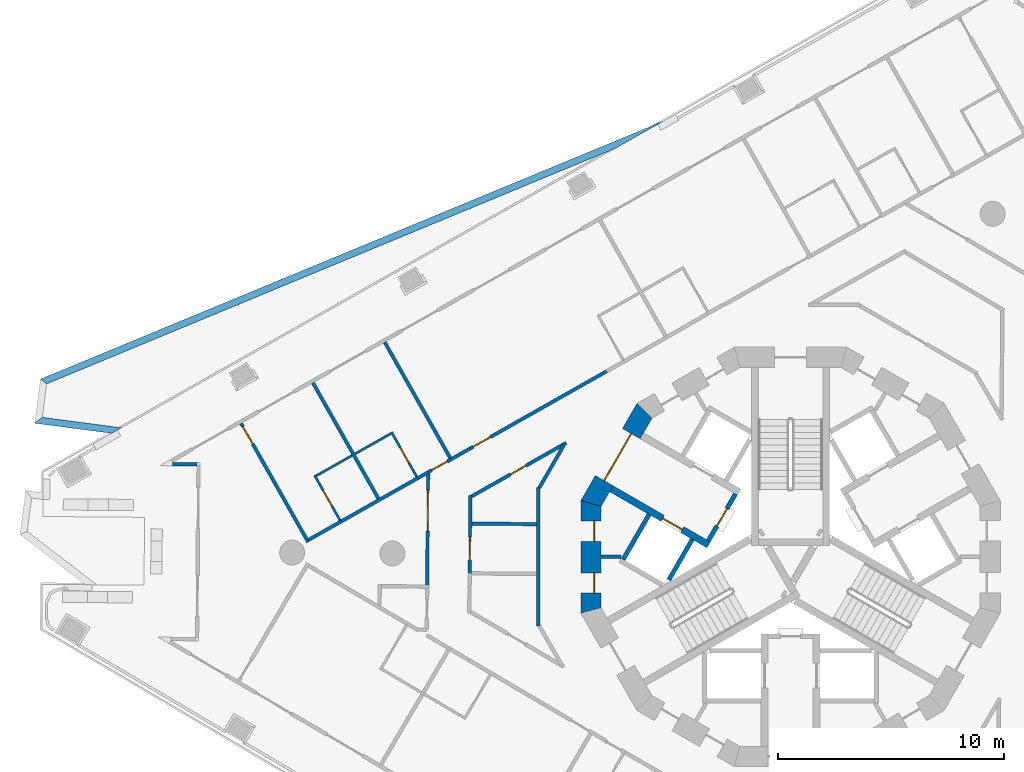
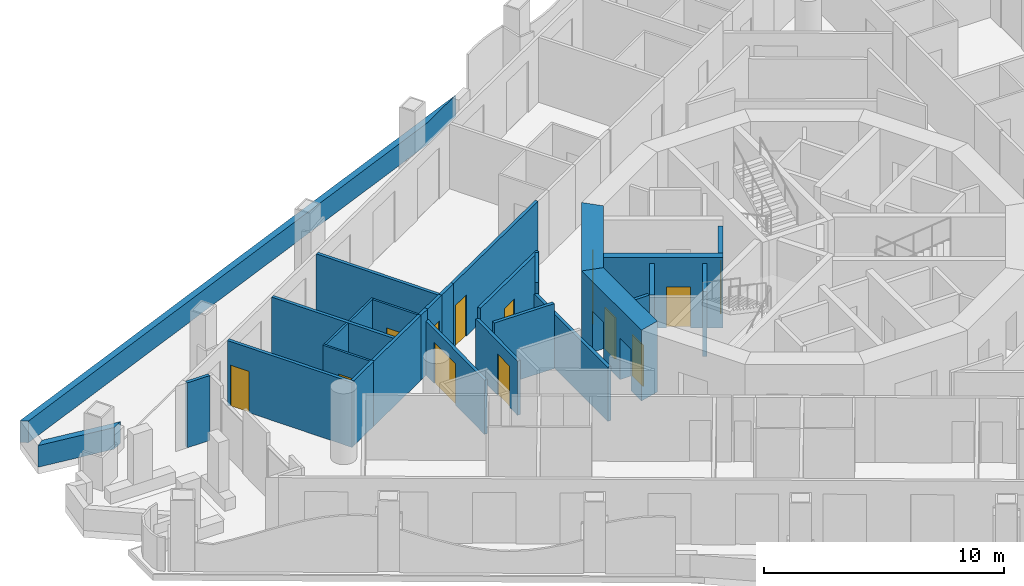
# One storey, part 6 of 18: 29 walls, 13 doors, 13 openings.
"""IFC4 building model written with IfcOpenShell, lengths in metres."""

from ifc_helpers import new_model, si_unit, direction, frame, frame_2d, origin, place, context, subcontext, project, spatial, polyline, rectangle, outline, extrude, material, layer, layer_set, type_object, element, fill, save


model = new_model("IFC4")

# Units and contexts
model_context = context("Model", 3, precision=1e-05, world=origin(), true_north=direction((0.0, 1.0)))
body_context = subcontext(model_context, "Body", "Model", "MODEL_VIEW")
ifc_project = project(units=[si_unit("LENGTHUNIT", "METRE"), si_unit("AREAUNIT", "SQUARE_METRE"), si_unit("VOLUMEUNIT", "CUBIC_METRE"), si_unit("PLANEANGLEUNIT", "RADIAN"), si_unit("MASSUNIT", "GRAM", prefix="KILO")], contexts=[model_context])

# Site, building, storey
site_placement = place(None, origin())
site = spatial("IfcSite", under=ifc_project, at=site_placement, CompositionType="ELEMENT")
building_placement = place(site_placement, origin())
building = spatial("IfcBuilding", under=site, at=building_placement, Name="Trine Commons Tower", CompositionType="ELEMENT")
storey_placement = place(building_placement, frame((0.0, 0.0, 161.10009765625)))
storey = spatial("IfcBuildingStorey", under=building, at=storey_placement, Name="L41", CompositionType="ELEMENT", Elevation=161.10009765625)

# Walls
ifc_material_1 = material(Name="Plasterboard partition on steel studs", Category="steel")
ifc_layer_1 = layer(ifc_material_1, 0.14990234375)
ifc_layer_set_1 = layer_set([ifc_layer_1], Name="Plasterboard partition on steel studs")
wall_type_1 = type_object("IfcWallType", Name="Core room partition 150 mm, EI 60", PredefinedType="PARTITIONING", material=ifc_layer_set_1)
wall_1_placement = place(storey_placement, frame((71.626953125, 62.5, 0.0), z_axis=(0.0, 0.0, 1.0), x_axis=(1.0, 0.0, 0.0)))
element("IfcWall", 1, at=wall_1_placement, inside=storey, type_object=wall_type_1, Name="Core room partition L41", PredefinedType="PARTITIONING", context=body_context, shape_type="SweptSolid", body=[
    extrude(rectangle(XDim=0.882080078125, YDim=0.14990234375, at=frame_2d((0.44091796875, 0.0))), origin(), (0.0, 0.0, 1.0), 3.2998046875),
])
ifc_material_2 = material(Name="Aluminium-framed insulated wall panel", Category="aluminium")
ifc_layer_2 = layer(ifc_material_2, 0.14990234375)
ifc_layer_set_2 = layer_set([ifc_layer_2], Name="Aluminium-framed insulated wall panel")
wall_type_2 = type_object("IfcWallType", Name="Glazed frame wall 150, EI 60", PredefinedType="SOLIDWALL", material=ifc_layer_set_2)
wall_2_placement = place(storey_placement, frame((53.859619140625, 66.59326171875, 0.0), z_axis=(0.0, 0.0, 1.0), x_axis=(-0.999962043845, 0.008712684354, 0.0)))
element("IfcWall", 2, at=wall_2_placement, inside=storey, type_object=wall_type_2, Name="Glazed frame wall R3", PredefinedType="SOLIDWALL", context=body_context, shape_type="SweptSolid", body=[
    extrude(outline(polyline([(0.110107421875, 0.074951171875), (0.110107421875, -0.074951171875), (1.19580078125, -0.074951171875), (1.19580078125, 0.074951171875), (0.110107421875, 0.074951171875)])), origin(), (0.0, 0.0, 1.0), 3.2998046875),
])

# Wall, opening, door
ifc_material_3 = material(Name="Fire-rated gypsum shaft wall system")
ifc_layer_3 = layer(ifc_material_3, 0.199951171875)
ifc_layer_set_3 = layer_set([ifc_layer_3], Name="Fire-rated gypsum shaft wall system")
wall_type_3 = type_object("IfcWallType", Name="Lobby end wall 200 mm, EI 120", PredefinedType="PARTITIONING", material=ifc_layer_set_3)
wall_3_placement = place(storey_placement, frame((77.569091796875, 65.2890625, 0.0), z_axis=(0.0, 0.0, 1.0), x_axis=(-0.50012165622, -0.865955154139, 0.0)))
wall_3 = element("IfcWall", 3, at=wall_3_placement, inside=storey, type_object=wall_type_3, Name="Lobby end wall L41", PredefinedType="PARTITIONING", context=body_context, shape_type="SweptSolid", body=[
    extrude(rectangle(XDim=2.39990234375, YDim=0.199951171875, at=frame_2d((1.199951171875, 0.0))), origin(), (0.0, 0.0, 1.0), 3.2998046875),
])
opening_1_placement = place(wall_3_placement, frame((0.749755859375, 0.0, 0.0)))
opening_1 = element("IfcOpeningElement", 4, at=opening_1_placement, cuts=wall_3, Name="Opening K12.07", PredefinedType="OPENING", context=body_context, shape_type="SweptSolid", body=[
    extrude(rectangle(XDim=0.89990234375, YDim=2.10009765625, at=frame_2d((0.449951171875, 1.050048828125))), frame((0.0, 0.10986328125, 0.0), z_axis=(0.0, -1.0, 0.0), x_axis=(1.0, 0.0, 0.0)), (0.0, 0.0, 1.0), 0.219970703125),
])
ifc_material_4 = material(Name="Steel door leaf, fire-rated", Category="steel")
door_type_1 = type_object("IfcDoorType", Name="Riser access door, single leaf 900 x 2100, FD60", OperationType="SINGLE_SWING_LEFT", PredefinedType="DOOR", material=ifc_material_4)
door_1_placement = place(opening_1_placement, frame((0.89990234375, 0.0, 0.0), z_axis=(0.0, 0.0, 1.0), x_axis=(-1.0, 0.0, 0.0)))
door_1 = element("IfcDoor", 5, at=door_1_placement, inside=storey, type_object=door_type_1, Name="Riser door, Mechanical riser L41", OperationType="SINGLE_SWING_RIGHT", OverallHeight=2.10009765625, OverallWidth=0.89990234375, PredefinedType="DOOR", context=body_context, shape_type="SweptSolid", body=[
    extrude(rectangle(XDim=0.89990234375, YDim=2.10009765625, at=frame_2d((0.449951171875, 1.050048828125))), frame((0.0, 0.02490234375, 0.0), z_axis=(0.0, -1.0, 0.0), x_axis=(1.0, 0.0, 0.0)), (0.0, 0.0, 1.0), 0.050048828125),
])
fill(opening_1, door_1)

ifc_material_5 = material(Name="Concrete C60/75", Category="concrete")
ifc_layer_4 = layer(ifc_material_5, 0.300048828125)
ifc_layer_set_4 = layer_set([ifc_layer_4], Name="Concrete C60/75")
wall_type_4 = type_object("IfcWallType", Name="RC shear wall 300 mm, C60/75", PredefinedType="SHEAR", material=ifc_layer_set_4)
wall_4_placement = place(storey_placement, frame((76.381103515625, 63.031005859375, 0.0), z_axis=(0.0, 0.0, 1.0), x_axis=(-0.866080953719, 0.499903772346, 0.0)))
wall_4 = element("IfcWall", 6, at=wall_4_placement, inside=storey, type_object=wall_type_4, Name="Core cross wall SWB-01 L41", PredefinedType="SHEAR", context=body_context, shape_type="SweptSolid", body=[
    extrude(rectangle(XDim=4.97314453125, YDim=0.300048828125, at=frame_2d((2.486572265625, 0.0))), origin(), (0.0, 0.0, 1.0), 3.599853515625),
])
opening_2_placement = place(wall_4_placement, frame((1.350341796875, 0.0, 0.0)))
opening_2 = element("IfcOpeningElement", 7, at=opening_2_placement, cuts=wall_4, Name="Opening LD7", PredefinedType="OPENING", context=body_context, shape_type="SweptSolid", body=[
    extrude(rectangle(XDim=1.0, YDim=2.10009765625, at=frame_2d((0.5, 1.050048828125))), frame((0.0, 0.159912109375, 0.0), z_axis=(0.0, -1.0, 0.0), x_axis=(1.0, 0.0, 0.0)), (0.0, 0.0, 1.0), 0.320068359375),
])
ifc_material_6 = material(Name="Stainless steel sliding door leaves", Category="steel")
door_type_2 = type_object("IfcDoorType", Name="Lift landing door, centre-opening sliding 1000 x 2100, FD90", OperationType="DOUBLE_DOOR_SLIDING", PredefinedType="DOOR", material=ifc_material_6)
door_2_placement = place(opening_2_placement, origin())
door_2 = element("IfcDoor", 8, at=door_2_placement, inside=storey, type_object=door_type_2, Name="Lift landing door HR3 L41", OperationType="DOUBLE_DOOR_SLIDING", OverallHeight=2.10009765625, OverallWidth=1.0, PredefinedType="DOOR", context=body_context, shape_type="SweptSolid", body=[
    extrude(rectangle(XDim=1.0, YDim=2.10009765625, at=frame_2d((0.5, 1.050048828125))), frame((0.0, 0.02490234375, 0.0), z_axis=(0.0, -1.0, 0.0), x_axis=(1.0, 0.0, 0.0)), (0.0, 0.0, 1.0), 0.050048828125),
])
fill(opening_2, door_2)

ifc_layer_5 = layer(ifc_material_5, 0.89990234375)
ifc_layer_set_5 = layer_set([ifc_layer_5], Name="Concrete C60/75")
wall_type_5 = type_object("IfcWallType", Name="RC shear wall 900 mm, C60/75", PredefinedType="SHEAR", material=ifc_layer_set_5)
wall_5_placement = place(storey_placement, frame((73.6015625, 69.063232421875, 0.0), z_axis=(0.0, 0.0, 1.0), x_axis=(-0.500038571144, -0.866003133579, 0.0)))
wall_5 = element("IfcWall", 9, at=wall_5_placement, inside=storey, type_object=wall_type_5, Name="Core wall CWE-06 L41", PredefinedType="SHEAR", context=body_context, shape_type="SweptSolid", body=[
    extrude(outline(polyline([(0.0, -0.449951171875), (4.96923828125, -0.449951171875), (4.72802734375, 0.449951171875), (0.2412109375, 0.449951171875), (0.0, -0.449951171875)])), origin(), (0.0, 0.0, 1.0), 3.599853515625),
])
opening_3_placement = place(wall_5_placement, frame((1.28466796875, 0.0, 0.0)))
opening_3 = element("IfcOpeningElement", 10, at=opening_3_placement, cuts=wall_5, Name="Opening K12.06", PredefinedType="OPENING", context=body_context, shape_type="SweptSolid", body=[
    extrude(rectangle(XDim=2.39990234375, YDim=2.10009765625, at=frame_2d((1.199951171875, 1.050048828125))), frame((0.0, 0.4599609375, 0.0), z_axis=(0.0, -1.0, 0.0), x_axis=(1.0, 0.0, 0.0)), (0.0, 0.0, 1.0), 0.919921875),
])
ifc_material_7 = material(Name="Steel door leaves, fire-rated", Category="steel")
door_type_3 = type_object("IfcDoorType", Name="Lobby door, double leaf 2400 x 2100, FD60", OperationType="DOUBLE_DOOR_SINGLE_SWING", PredefinedType="DOOR", material=ifc_material_7)
door_3_placement = place(opening_3_placement, origin())
door_3 = element("IfcDoor", 11, at=door_3_placement, inside=storey, type_object=door_type_3, Name="Lobby door, Passenger lift lobby B L41", OperationType="DOUBLE_DOOR_SINGLE_SWING", OverallHeight=2.10009765625, OverallWidth=2.39990234375, PredefinedType="DOOR", context=body_context, shape_type="SweptSolid", body=[
    extrude(rectangle(XDim=2.39990234375, YDim=2.10009765625, at=frame_2d((1.199951171875, 1.050048828125))), frame((0.0, 0.02490234375, 0.0), z_axis=(0.0, -1.0, 0.0), x_axis=(1.0, 0.0, 0.0)), (0.0, 0.0, 1.0), 0.050048828125),
])
fill(opening_3, door_3)

# Wall, openings, doors
wall_6_placement = place(storey_placement, frame((71.177001953125, 64.984619140625, 0.0), z_axis=(0.0, 0.0, 1.0), x_axis=(0.0, -1.0, 0.0)))
wall_6 = element("IfcWall", 12, at=wall_6_placement, inside=storey, type_object=wall_type_5, Name="Core wall CWE-07 L41", PredefinedType="SHEAR", context=body_context, shape_type="SweptSolid", body=[
    extrude(outline(polyline([(0.0, -0.449951171875), (4.969482421875, -0.449951171875), (4.728271484375, 0.449951171875), (0.2412109375, 0.449951171875), (0.0, -0.449951171875)])), origin(), (0.0, 0.0, 1.0), 3.599853515625),
])
opening_4_placement = place(wall_6_placement, frame((0.893798828125, 0.0, 0.0)))
opening_4 = element("IfcOpeningElement", 13, at=opening_4_placement, cuts=wall_6, Name="Opening K12.16", PredefinedType="OPENING", context=body_context, shape_type="SweptSolid", body=[
    extrude(rectangle(XDim=0.89990234375, YDim=2.10009765625, at=frame_2d((0.449951171875, 1.050048828125))), frame((0.0, 0.4599609375, 0.0), z_axis=(0.0, -1.0, 0.0), x_axis=(1.0, 0.0, 0.0)), (0.0, 0.0, 1.0), 0.919921875),
])
opening_5_placement = place(wall_6_placement, frame((3.184814453125, 0.0, 0.0)))
opening_5 = element("IfcOpeningElement", 14, at=opening_5_placement, cuts=wall_6, Name="Opening K12.17", PredefinedType="OPENING", context=body_context, shape_type="SweptSolid", body=[
    extrude(rectangle(XDim=0.89990234375, YDim=2.10009765625, at=frame_2d((0.449951171875, 1.050048828125))), frame((0.0, 0.4599609375, 0.0), z_axis=(0.0, -1.0, 0.0), x_axis=(1.0, 0.0, 0.0)), (0.0, 0.0, 1.0), 0.919921875),
])
door_type_4 = type_object("IfcDoorType", Name="Core room door, single leaf 900 x 2100, FD30S", OperationType="SINGLE_SWING_LEFT", PredefinedType="DOOR", material=ifc_material_4)
door_4_placement = place(opening_4_placement, origin())
door_4 = element("IfcDoor", 15, at=door_4_placement, inside=storey, type_object=door_type_4, Name="Door to Pantry L41", OperationType="SINGLE_SWING_LEFT", OverallHeight=2.10009765625, OverallWidth=0.89990234375, PredefinedType="DOOR", context=body_context, shape_type="SweptSolid", body=[
    extrude(rectangle(XDim=0.89990234375, YDim=2.10009765625, at=frame_2d((0.449951171875, 1.050048828125))), frame((0.0, 0.1748046875, 0.0), z_axis=(0.0, -1.0, 0.0), x_axis=(1.0, 0.0, 0.0)), (0.0, 0.0, 1.0), 0.050048828125),
])
fill(opening_4, door_4)
door_5_placement = place(opening_5_placement, origin())
door_5 = element("IfcDoor", 16, at=door_5_placement, inside=storey, type_object=door_type_4, Name="Door to Comms room L41", OperationType="SINGLE_SWING_RIGHT", OverallHeight=2.10009765625, OverallWidth=0.89990234375, PredefinedType="DOOR", context=body_context, shape_type="SweptSolid", body=[
    extrude(rectangle(XDim=0.89990234375, YDim=2.10009765625, at=frame_2d((0.449951171875, 1.050048828125))), frame((0.0, 0.1748046875, 0.0), z_axis=(0.0, -1.0, 0.0), x_axis=(1.0, 0.0, 0.0)), (0.0, 0.0, 1.0), 0.050048828125),
])
fill(opening_5, door_5)

# Walls
ifc_layer_6 = layer(ifc_material_3, 0.199951171875)
ifc_layer_set_6 = layer_set([ifc_layer_6], Name="Fire-rated gypsum shaft wall system")
wall_type_6 = type_object("IfcWallType", Name="Shaft wall 200 mm, EI 120", PredefinedType="PARTITIONING", material=ifc_layer_set_6)
wall_7_placement = place(storey_placement, frame((73.7509765625, 64.3759765625, 0.0), z_axis=(0.0, 0.0, 1.0), x_axis=(-0.500136062276, -0.86594683394, 0.0)))
element("IfcWall", 17, at=wall_7_placement, inside=storey, type_object=wall_type_6, Name="Shaft wall L41", PredefinedType="PARTITIONING", context=body_context, shape_type="SweptSolid", body=[
    extrude(rectangle(XDim=2.299072265625, YDim=0.199951171875, at=frame_2d((1.1494140625, 0.0))), origin(), (0.0, 0.0, 1.0), 3.2998046875),
])
wall_8_placement = place(storey_placement, frame((75.656005859375, 63.27587890625, 0.0), z_axis=(0.0, 0.0, 1.0), x_axis=(-0.500271688072, -0.86586848777, 0.0)))
element("IfcWall", 18, at=wall_8_placement, inside=storey, type_object=wall_type_6, Name="Shaft wall L41", PredefinedType="PARTITIONING", context=body_context, shape_type="SweptSolid", body=[
    extrude(rectangle(XDim=2.064697265625, YDim=0.199951171875, at=frame_2d((1.0322265625, 0.0))), origin(), (0.0, 0.0, 1.0), 3.2998046875),
])
ifc_material_8 = material(Name="Limestone, honed", Category="masonry")
ifc_layer_7 = layer(ifc_material_8, 0.300048828125)
ifc_layer_set_7 = layer_set([ifc_layer_7], Name="Limestone, honed")
wall_type_7 = type_object("IfcWallType", Name="Stone parapet 300", PredefinedType="PARAPET", material=ifc_layer_set_7)
wall_9_placement = place(storey_placement, origin())
element("IfcWall", 19, at=wall_9_placement, inside=storey, type_object=wall_type_7, Name="Sliver roof parapet L40 2.1", PredefinedType="PARAPET", context=body_context, shape_type="SweptSolid", body=[
    extrude(outline(polyline([(74.38818359375, 81.772705078125), (46.835693359375, 70.360107421875), (47.110595703125, 70.149169921875), (72.24560546875, 80.560546875), (74.38818359375, 81.772705078125)])), origin(), (0.0, 0.0, 1.0), 1.099853515625),
])
wall_10_placement = place(storey_placement, origin())
element("IfcWall", 20, at=wall_10_placement, inside=storey, type_object=wall_type_7, Name="Sliver roof parapet L40 2.3", PredefinedType="PARAPET", context=body_context, shape_type="SweptSolid", body=[
    extrude(outline(polyline([(46.579345703125, 68.412841796875), (49.982666015625, 67.96484375), (50.41650390625, 68.210205078125), (46.916015625, 68.671142578125), (46.579345703125, 68.412841796875)])), origin(), (0.0, 0.0, 1.0), 1.099853515625),
])

# Wall, opening, door
ifc_material_9 = material(Name="Gypsum plasterboard on steel stud", Category="steel")
ifc_layer_8 = layer(ifc_material_9, 0.14990234375)
ifc_layer_set_8 = layer_set([ifc_layer_8], Name="Gypsum plasterboard on steel stud")
wall_type_8 = type_object("IfcWallType", Name="Unit and corridor wall 150 mm, EI 60", PredefinedType="PARTITIONING", material=ifc_layer_set_8)
wall_11_placement = place(storey_placement, frame((55.708740234375, 68.401123046875, 0.0), z_axis=(0.0, 0.0, 1.0), x_axis=(0.492481823802, -0.870322729351, 0.0)))
wall_11 = element("IfcWall", 21, at=wall_11_placement, inside=storey, type_object=wall_type_8, Name="Partition 002", PredefinedType="PARTITIONING", context=body_context, shape_type="SweptSolid", body=[
    extrude(rectangle(XDim=6.024658203125, YDim=0.14990234375, at=frame_2d((3.01220703125, 0.0))), origin(), (0.0, 0.0, 1.0), 3.2998046875),
])
opening_6_placement = place(wall_11_placement, frame((0.14990234375, 0.0, 0.0)))
opening_6 = element("IfcOpeningElement", 22, at=opening_6_placement, cuts=wall_11, Name="Opening D-5A06", PredefinedType="OPENING", context=body_context, shape_type="SweptSolid", body=[
    extrude(rectangle(XDim=0.89990234375, YDim=2.10009765625, at=frame_2d((0.449951171875, 1.050048828125))), frame((0.0, 0.0849609375, 0.0), z_axis=(0.0, -1.0, 0.0), x_axis=(1.0, 0.0, 0.0)), (0.0, 0.0, 1.0), 0.169921875),
])
ifc_material_10 = material(Name="Timber fire door set", Category="wood")
door_type_5 = type_object("IfcDoorType", Name="Bedroom door 900 x 2100, FD30S", OperationType="NOTDEFINED", PredefinedType="DOOR", material=ifc_material_10)
door_6_placement = place(opening_6_placement, origin())
door_6 = element("IfcDoor", 23, at=door_6_placement, inside=storey, type_object=door_type_5, Name="Door D-5A06", OperationType="SINGLE_SWING_LEFT", OverallHeight=2.10009765625, OverallWidth=0.89990234375, PredefinedType="DOOR", context=body_context, shape_type="SweptSolid", body=[
    extrude(rectangle(XDim=0.89990234375, YDim=2.10009765625, at=frame_2d((0.449951171875, 1.050048828125))), frame((0.0, 0.02490234375, 0.0), z_axis=(0.0, -1.0, 0.0), x_axis=(1.0, 0.0, 0.0)), (0.0, 0.0, 1.0), 0.050048828125),
])
fill(opening_6, door_6)

# Walls
wall_12_placement = place(storey_placement, frame((58.704345703125, 63.260009765625, 0.0), z_axis=(0.0, 0.0, 1.0), x_axis=(0.870190857822, 0.492714796778, 0.0)))
element("IfcWall", 24, at=wall_12_placement, inside=storey, type_object=wall_type_8, Name="Partition 004", PredefinedType="PARTITIONING", context=body_context, shape_type="SweptSolid", body=[
    extrude(rectangle(XDim=1.67578125, YDim=0.14990234375, at=frame_2d((0.837890625, 0.0))), origin(), (0.0, 0.0, 1.0), 3.2998046875),
])
wall_13_placement = place(storey_placement, frame((58.8837890625, 70.197265625, 0.0), z_axis=(0.0, 0.0, 1.0), x_axis=(0.492361245758, -0.870390948756, 0.0)))
element("IfcWall", 25, at=wall_13_placement, inside=storey, type_object=wall_type_8, Name="Partition 005", PredefinedType="PARTITIONING", context=body_context, shape_type="SweptSolid", body=[
    extrude(rectangle(XDim=5.87451171875, YDim=0.14990234375, at=frame_2d((2.937255859375, 0.0))), origin(), (0.0, 0.0, 1.0), 3.2998046875),
])
wall_14_placement = place(storey_placement, frame((60.113037109375, 64.056884765625, 0.0), z_axis=(0.0, 0.0, 1.0), x_axis=(0.870300828713, 0.492520524995, 0.0)))
element("IfcWall", 26, at=wall_14_placement, inside=storey, type_object=wall_type_8, Name="Partition 008", PredefinedType="PARTITIONING", context=body_context, shape_type="SweptSolid", body=[
    extrude(rectangle(XDim=3.906494140625, YDim=0.14990234375, at=frame_2d((1.953125, 0.0))), origin(), (0.0, 0.0, 1.0), 3.2998046875),
])
wall_15_placement = place(storey_placement, frame((62.0576171875, 71.9931640625, 0.0), z_axis=(0.0, 0.0, 1.0), x_axis=(0.492391211334, -0.870373997199, 0.0)))
element("IfcWall", 27, at=wall_15_placement, inside=storey, type_object=wall_type_8, Name="Partition 015", PredefinedType="PARTITIONING", context=body_context, shape_type="SweptSolid", body=[
    extrude(rectangle(XDim=5.949462890625, YDim=0.14990234375, at=frame_2d((2.974609375, 0.0))), origin(), (0.0, 0.0, 1.0), 3.2998046875),
])
wall_16_placement = place(storey_placement, frame((63.507080078125, 65.97705078125, 0.0), z_axis=(0.0, 0.0, 1.0), x_axis=(0.869938000449, 0.493161104888, 0.0)))
element("IfcWall", 28, at=wall_16_placement, inside=storey, type_object=wall_type_8, Name="Partition 019", PredefinedType="PARTITIONING", context=body_context, shape_type="SweptSolid", body=[
    extrude(rectangle(XDim=0.5390625, YDim=0.14990234375, at=frame_2d((0.26953125, 0.0))), origin(), (0.0, 0.0, 1.0), 3.2998046875),
])

# Wall, opening, door
wall_17_placement = place(storey_placement, frame((63.931884765625, 61.18310546875, 0.0), z_axis=(0.0, 0.0, 1.0), x_axis=(0.008717466764, 0.999962002165, 0.0)))
wall_17 = element("IfcWall", 29, at=wall_17_placement, inside=storey, type_object=wall_type_8, Name="Partition 023", PredefinedType="PARTITIONING", context=body_context, shape_type="SweptSolid", body=[
    extrude(rectangle(XDim=4.985107421875, YDim=0.14990234375, at=frame_2d((2.49267578125, 0.0))), origin(), (0.0, 0.0, 1.0), 2.75),
])
opening_7_placement = place(wall_17_placement, frame((2.458984375, 0.0, 0.0)))
opening_7 = element("IfcOpeningElement", 30, at=opening_7_placement, cuts=wall_17, Name="Opening D-5A03", PredefinedType="OPENING", context=body_context, shape_type="SweptSolid", body=[
    extrude(rectangle(XDim=1.800048828125, YDim=2.10009765625, at=frame_2d((0.89990234375, 1.050048828125))), frame((0.0, 0.0849609375, 0.0), z_axis=(0.0, -1.0, 0.0), x_axis=(1.0, 0.0, 0.0)), (0.0, 0.0, 1.0), 0.169921875),
])
door_type_6 = type_object("IfcDoorType", Name="Cluster entrance door 1800 x 2100, double leaf, FD30S", OperationType="DOUBLE_DOOR_DOUBLE_SWING", PredefinedType="DOOR", material=ifc_material_10)
door_7_placement = place(opening_7_placement, origin())
door_7 = element("IfcDoor", 31, at=door_7_placement, inside=storey, type_object=door_type_6, Name="Door D-5A03", OperationType="DOUBLE_DOOR_DOUBLE_SWING", OverallHeight=2.10009765625, OverallWidth=1.800048828125, PredefinedType="DOOR", context=body_context, shape_type="SweptSolid", body=[
    extrude(rectangle(XDim=1.800048828125, YDim=2.10009765625, at=frame_2d((0.89990234375, 1.050048828125))), frame((0.0, 0.02490234375, 0.0), z_axis=(0.0, -1.0, 0.0), x_axis=(1.0, 0.0, 0.0)), (0.0, 0.0, 1.0), 0.050048828125),
])
fill(opening_7, door_7)

wall_18_placement = place(storey_placement, frame((63.97607421875, 66.242919921875, 0.0), z_axis=(0.0, 0.0, 1.0), x_axis=(0.870234820761, 0.492637145102, 0.0)))
wall_18 = element("IfcWall", 32, at=wall_18_placement, inside=storey, type_object=wall_type_8, Name="Partition 024", PredefinedType="PARTITIONING", context=body_context, shape_type="SweptSolid", body=[
    extrude(rectangle(XDim=1.1650390625, YDim=0.14990234375, at=frame_2d((0.58251953125, 0.0))), origin(), (0.0, 0.0, 1.0), 3.2998046875),
])
opening_8_placement = place(wall_18_placement, frame((0.180908203125, 0.0, 0.0)))
opening_8 = element("IfcOpeningElement", 33, at=opening_8_placement, cuts=wall_18, Name="Opening D-5A07", PredefinedType="OPENING", context=body_context, shape_type="SweptSolid", body=[
    extrude(rectangle(XDim=0.800048828125, YDim=2.10009765625, at=frame_2d((0.39990234375, 1.050048828125))), frame((0.0, 0.0849609375, 0.0), z_axis=(0.0, -1.0, 0.0), x_axis=(1.0, 0.0, 0.0)), (0.0, 0.0, 1.0), 0.169921875),
])
door_type_7 = type_object("IfcDoorType", Name="Bedroom door 800 x 2100, FD30S", OperationType="NOTDEFINED", PredefinedType="DOOR", material=ifc_material_10)
door_8_placement = place(opening_8_placement, origin())
door_8 = element("IfcDoor", 34, at=door_8_placement, inside=storey, type_object=door_type_7, Name="Door D-5A07", OperationType="SINGLE_SWING_LEFT", OverallHeight=2.10009765625, OverallWidth=0.800048828125, PredefinedType="DOOR", context=body_context, shape_type="SweptSolid", body=[
    extrude(rectangle(XDim=0.800048828125, YDim=2.10009765625, at=frame_2d((0.39990234375, 1.050048828125))), frame((0.0, 0.02490234375, 0.0), z_axis=(0.0, -1.0, 0.0), x_axis=(1.0, 0.0, 0.0)), (0.0, 0.0, 1.0), 0.050048828125),
])
fill(opening_8, door_8)

# Wall
wall_19_placement = place(storey_placement, frame((64.98388671875, 66.81298828125, 0.0), z_axis=(0.0, 0.0, 1.0), x_axis=(0.870488073498, 0.492189510145, 0.0)))
element("IfcWall", 35, at=wall_19_placement, inside=storey, type_object=wall_type_8, Name="Partition 026", PredefinedType="PARTITIONING", context=body_context, shape_type="SweptSolid", body=[
    extrude(rectangle(XDim=0.97314453125, YDim=0.14990234375, at=frame_2d((0.486572265625, 0.0))), origin(), (0.0, 0.0, 1.0), 3.2998046875),
])

# Wall, opening, door
wall_20_placement = place(storey_placement, frame((65.8125, 61.695068359375, 0.0), z_axis=(0.0, 0.0, 1.0), x_axis=(0.008521236962, 0.999963693601, 0.0)))
wall_20 = element("IfcWall", 36, at=wall_20_placement, inside=storey, type_object=wall_type_8, Name="Partition 031", PredefinedType="PARTITIONING", context=body_context, shape_type="SweptSolid", body=[
    extrude(rectangle(XDim=3.524169921875, YDim=0.14990234375, at=frame_2d((1.76220703125, 0.0))), origin(), (0.0, 0.0, 1.0), 2.75),
])
opening_9_placement = place(wall_20_placement, frame((0.678955078125, 0.0, 0.0)))
opening_9 = element("IfcOpeningElement", 37, at=opening_9_placement, cuts=wall_20, Name="Opening D-5A30", PredefinedType="OPENING", context=body_context, shape_type="SweptSolid", body=[
    extrude(rectangle(XDim=1.0, YDim=2.10009765625, at=frame_2d((0.5, 1.050048828125))), frame((0.0, 0.0849609375, 0.0), z_axis=(0.0, -1.0, 0.0), x_axis=(1.0, 0.0, 0.0)), (0.0, 0.0, 1.0), 0.169921875),
])
ifc_material_11 = material(Name="Painted timber", Category="wood")
door_type_8 = type_object("IfcDoorType", Name="Toilet door 1000 x 2100, NOT RATED", OperationType="NOTDEFINED", PredefinedType="DOOR", material=ifc_material_11)
door_9_placement = place(opening_9_placement, frame((1.0, 0.0, 0.0), z_axis=(0.0, 0.0, 1.0), x_axis=(-1.0, 0.0, 0.0)))
door_9 = element("IfcDoor", 38, at=door_9_placement, inside=storey, type_object=door_type_8, Name="Door D-5A30", OperationType="SINGLE_SWING_RIGHT", OverallHeight=2.10009765625, OverallWidth=1.0, PredefinedType="DOOR", context=body_context, shape_type="SweptSolid", body=[
    extrude(rectangle(XDim=1.0, YDim=2.10009765625, at=frame_2d((0.5, 1.050048828125))), frame((0.0, 0.02490234375, 0.0), z_axis=(0.0, -1.0, 0.0), x_axis=(1.0, 0.0, 0.0)), (0.0, 0.0, 1.0), 0.050048828125),
])
fill(opening_9, door_9)

wall_21_placement = place(storey_placement, frame((65.8310546875, 67.2919921875, 0.0), z_axis=(0.0, 0.0, 1.0), x_axis=(0.870315513683, 0.492494575242, 0.0)))
wall_21 = element("IfcWall", 39, at=wall_21_placement, inside=storey, type_object=wall_type_8, Name="Partition 033", PredefinedType="PARTITIONING", context=body_context, shape_type="SweptSolid", body=[
    extrude(rectangle(XDim=6.93408203125, YDim=0.14990234375, at=frame_2d((3.467041015625, 0.0))), origin(), (0.0, 0.0, 1.0), 3.2998046875),
])
opening_10_placement = place(wall_21_placement, frame((0.14990234375, 0.0, 0.0)))
opening_10 = element("IfcOpeningElement", 40, at=opening_10_placement, cuts=wall_21, Name="Opening D-5A08", PredefinedType="OPENING", context=body_context, shape_type="SweptSolid", body=[
    extrude(rectangle(XDim=0.89990234375, YDim=2.10009765625, at=frame_2d((0.449951171875, 1.050048828125))), frame((0.0, 0.0849609375, 0.0), z_axis=(0.0, -1.0, 0.0), x_axis=(1.0, 0.0, 0.0)), (0.0, 0.0, 1.0), 0.169921875),
])
door_10_placement = place(opening_10_placement, origin())
door_10 = element("IfcDoor", 41, at=door_10_placement, inside=storey, type_object=door_type_5, Name="Door D-5A08", OperationType="SINGLE_SWING_LEFT", OverallHeight=2.10009765625, OverallWidth=0.89990234375, PredefinedType="DOOR", context=body_context, shape_type="SweptSolid", body=[
    extrude(rectangle(XDim=0.89990234375, YDim=2.10009765625, at=frame_2d((0.449951171875, 1.050048828125))), frame((0.0, 0.02490234375, 0.0), z_axis=(0.0, -1.0, 0.0), x_axis=(1.0, 0.0, 0.0)), (0.0, 0.0, 1.0), 0.050048828125),
])
fill(opening_10, door_10)

# Wall
wall_22_placement = place(storey_placement, frame((65.906982421875, 63.973388671875, 0.0), z_axis=(0.0, 0.0, 1.0), x_axis=(0.999960115563, -0.008931253159, 0.0)))
element("IfcWall", 42, at=wall_22_placement, inside=storey, type_object=wall_type_8, Name="Partition 034", PredefinedType="PARTITIONING", context=body_context, shape_type="SweptSolid", body=[
    extrude(rectangle(XDim=2.8701171875, YDim=0.14990234375, at=frame_2d((1.43505859375, 0.0))), origin(), (0.0, 0.0, 1.0), 3.2998046875),
])

# Wall, opening, door
wall_23_placement = place(storey_placement, frame((65.9072265625, 65.180908203125, 0.0), z_axis=(0.0, 0.0, 1.0), x_axis=(0.870373278687, 0.492392481408, 0.0)))
wall_23 = element("IfcWall", 43, at=wall_23_placement, inside=storey, type_object=wall_type_8, Name="Partition 035", PredefinedType="PARTITIONING", context=body_context, shape_type="SweptSolid", body=[
    extrude(rectangle(XDim=4.799072265625, YDim=0.14990234375, at=frame_2d((2.3994140625, 0.0))), origin(), (0.0, 0.0, 1.0), 3.2998046875),
])
opening_11_placement = place(wall_23_placement, frame((1.9619140625, 0.0, 0.0)))
opening_11 = element("IfcOpeningElement", 44, at=opening_11_placement, cuts=wall_23, Name="Opening D-5A29", PredefinedType="OPENING", context=body_context, shape_type="SweptSolid", body=[
    extrude(rectangle(XDim=0.800048828125, YDim=2.10009765625, at=frame_2d((0.39990234375, 1.050048828125))), frame((0.0, 0.0849609375, 0.0), z_axis=(0.0, -1.0, 0.0), x_axis=(1.0, 0.0, 0.0)), (0.0, 0.0, 1.0), 0.169921875),
])
door_type_9 = type_object("IfcDoorType", Name="Toilet door 800 x 2100, NOT RATED", OperationType="NOTDEFINED", PredefinedType="DOOR", material=ifc_material_11)
door_11_placement = place(opening_11_placement, frame((0.800048828125, 0.0, 0.0), z_axis=(0.0, 0.0, 1.0), x_axis=(-1.0, 0.0, 0.0)))
door_11 = element("IfcDoor", 45, at=door_11_placement, inside=storey, type_object=door_type_9, Name="Door D-5A29", OperationType="SINGLE_SWING_RIGHT", OverallHeight=2.10009765625, OverallWidth=0.800048828125, PredefinedType="DOOR", context=body_context, shape_type="SweptSolid", body=[
    extrude(rectangle(XDim=0.800048828125, YDim=2.10009765625, at=frame_2d((0.39990234375, 1.050048828125))), frame((0.0, 0.02490234375, 0.0), z_axis=(0.0, -1.0, 0.0), x_axis=(1.0, 0.0, 0.0)), (0.0, 0.0, 1.0), 0.050048828125),
])
fill(opening_11, door_11)

# Walls
wall_24_placement = place(storey_placement, frame((68.85205078125, 59.43798828125, 0.0), z_axis=(0.0, 0.0, 1.0), x_axis=(0.0, 1.0, 0.0)))
element("IfcWall", 46, at=wall_24_placement, inside=storey, type_object=wall_type_8, Name="Partition 037", PredefinedType="PARTITIONING", context=body_context, shape_type="SweptSolid", body=[
    extrude(rectangle(XDim=6.1240234375, YDim=0.14990234375, at=frame_2d((3.06201171875, 0.0))), origin(), (0.0, 0.0, 1.0), 2.75),
])
wall_25_placement = place(storey_placement, frame((68.889404296875, 65.552001953125, 0.0), z_axis=(0.0, 0.0, 1.0), x_axis=(0.499825543119, 0.866126103086, 0.0)))
element("IfcWall", 47, at=wall_25_placement, inside=storey, type_object=wall_type_8, Name="Partition 039", PredefinedType="PARTITIONING", context=body_context, shape_type="SweptSolid", body=[
    extrude(rectangle(XDim=2.186767578125, YDim=0.14990234375, at=frame_2d((1.09326171875, 0.0))), origin(), (0.0, 0.0, 1.0), 3.2998046875),
])

# Wall, opening, door
ifc_layer_9 = layer(ifc_material_9, 0.10009765625)
ifc_layer_set_9 = layer_set([ifc_layer_9], Name="Gypsum plasterboard on steel stud")
wall_type_9 = type_object("IfcWallType", Name="Unit partition 100 mm, no rating", PredefinedType="PARTITIONING", material=ifc_layer_set_9)
wall_26_placement = place(storey_placement, frame((58.95849609375, 66.1044921875, 0.0), z_axis=(0.0, 0.0, 1.0), x_axis=(0.49250622102, -0.870308923462, 0.0)))
wall_26 = element("IfcWall", 48, at=wall_26_placement, inside=storey, type_object=wall_type_9, Name="Partition 006", PredefinedType="PARTITIONING", context=body_context, shape_type="SweptSolid", body=[
    extrude(rectangle(XDim=2.275390625, YDim=0.10009765625, at=frame_2d((1.1376953125, 0.0))), origin(), (0.0, 0.0, 1.0), 3.2998046875),
])
opening_12_placement = place(wall_26_placement, frame((0.7626953125, 0.0, 0.0)))
opening_12 = element("IfcOpeningElement", 49, at=opening_12_placement, cuts=wall_26, Name="Opening D-5A31", PredefinedType="OPENING", context=body_context, shape_type="SweptSolid", body=[
    extrude(rectangle(XDim=0.800048828125, YDim=2.10009765625, at=frame_2d((0.39990234375, 1.050048828125))), frame((0.0, 0.06005859375, 0.0), z_axis=(0.0, -1.0, 0.0), x_axis=(1.0, 0.0, 0.0)), (0.0, 0.0, 1.0), 0.1201171875),
])
door_type_10 = type_object("IfcDoorType", Name="Internal door 800 x 2100, NOT RATED", OperationType="NOTDEFINED", PredefinedType="DOOR", material=ifc_material_11)
door_12_placement = place(opening_12_placement, frame((0.800048828125, 0.0, 0.0), z_axis=(0.0, 0.0, 1.0), x_axis=(-1.0, 0.0, 0.0)))
door_12 = element("IfcDoor", 50, at=door_12_placement, inside=storey, type_object=door_type_10, Name="Door D-5A31", OperationType="SINGLE_SWING_LEFT", OverallHeight=2.10009765625, OverallWidth=0.800048828125, PredefinedType="DOOR", context=body_context, shape_type="SweptSolid", body=[
    extrude(rectangle(XDim=0.800048828125, YDim=2.10009765625, at=frame_2d((0.39990234375, 1.050048828125))), frame((0.0, 0.02490234375, 0.0), z_axis=(0.0, -1.0, 0.0), x_axis=(1.0, 0.0, 0.0)), (0.0, 0.0, 1.0), 0.050048828125),
])
fill(opening_12, door_12)

# Walls
wall_27_placement = place(storey_placement, frame((59.026611328125, 66.085693359375, 0.0), z_axis=(0.0, 0.0, 1.0), x_axis=(0.870375876163, 0.492387889974, 0.0)))
element("IfcWall", 51, at=wall_27_placement, inside=storey, type_object=wall_type_9, Name="Partition 007", PredefinedType="PARTITIONING", context=body_context, shape_type="SweptSolid", body=[
    extrude(rectangle(XDim=1.82470703125, YDim=0.10009765625, at=frame_2d((0.912353515625, 0.0))), origin(), (0.0, 0.0, 1.0), 3.2998046875),
])
wall_28_placement = place(storey_placement, frame((60.745361328125, 67.057861328125, 0.0), z_axis=(0.0, 0.0, 1.0), x_axis=(0.870465997858, 0.492228551156, 0.0)))
element("IfcWall", 52, at=wall_28_placement, inside=storey, type_object=wall_type_9, Name="Partition 009", PredefinedType="PARTITIONING", context=body_context, shape_type="SweptSolid", body=[
    extrude(rectangle(XDim=1.925537109375, YDim=0.10009765625, at=frame_2d((0.962890625, 0.0))), origin(), (0.0, 0.0, 1.0), 3.2998046875),
])

# Wall, opening, door
wall_29_placement = place(storey_placement, frame((62.402587890625, 67.9375, 0.0), z_axis=(0.0, 0.0, 1.0), x_axis=(0.492205197529, -0.870479203385, 0.0)))
wall_29 = element("IfcWall", 53, at=wall_29_placement, inside=storey, type_object=wall_type_9, Name="Partition 016", PredefinedType="PARTITIONING", context=body_context, shape_type="SweptSolid", body=[
    extrude(rectangle(XDim=2.175048828125, YDim=0.10009765625, at=frame_2d((1.08740234375, 0.0))), origin(), (0.0, 0.0, 1.0), 3.2998046875),
])
opening_13_placement = place(wall_29_placement, frame((0.6875, 0.0, 0.0)))
opening_13 = element("IfcOpeningElement", 54, at=opening_13_placement, cuts=wall_29, Name="Opening D-5A32", PredefinedType="OPENING", context=body_context, shape_type="SweptSolid", body=[
    extrude(rectangle(XDim=0.800048828125, YDim=2.10009765625, at=frame_2d((0.39990234375, 1.050048828125))), frame((0.0, 0.06005859375, 0.0), z_axis=(0.0, -1.0, 0.0), x_axis=(1.0, 0.0, 0.0)), (0.0, 0.0, 1.0), 0.1201171875),
])
door_13_placement = place(opening_13_placement, origin())
door_13 = element("IfcDoor", 55, at=door_13_placement, inside=storey, type_object=door_type_10, Name="Door D-5A32", OperationType="SINGLE_SWING_LEFT", OverallHeight=2.10009765625, OverallWidth=0.800048828125, PredefinedType="DOOR", context=body_context, shape_type="SweptSolid", body=[
    extrude(rectangle(XDim=0.800048828125, YDim=2.10009765625, at=frame_2d((0.39990234375, 1.050048828125))), frame((0.0, 0.02490234375, 0.0), z_axis=(0.0, -1.0, 0.0), x_axis=(1.0, 0.0, 0.0)), (0.0, 0.0, 1.0), 0.050048828125),
])
fill(opening_13, door_13)

save(model, "model.ifc")
